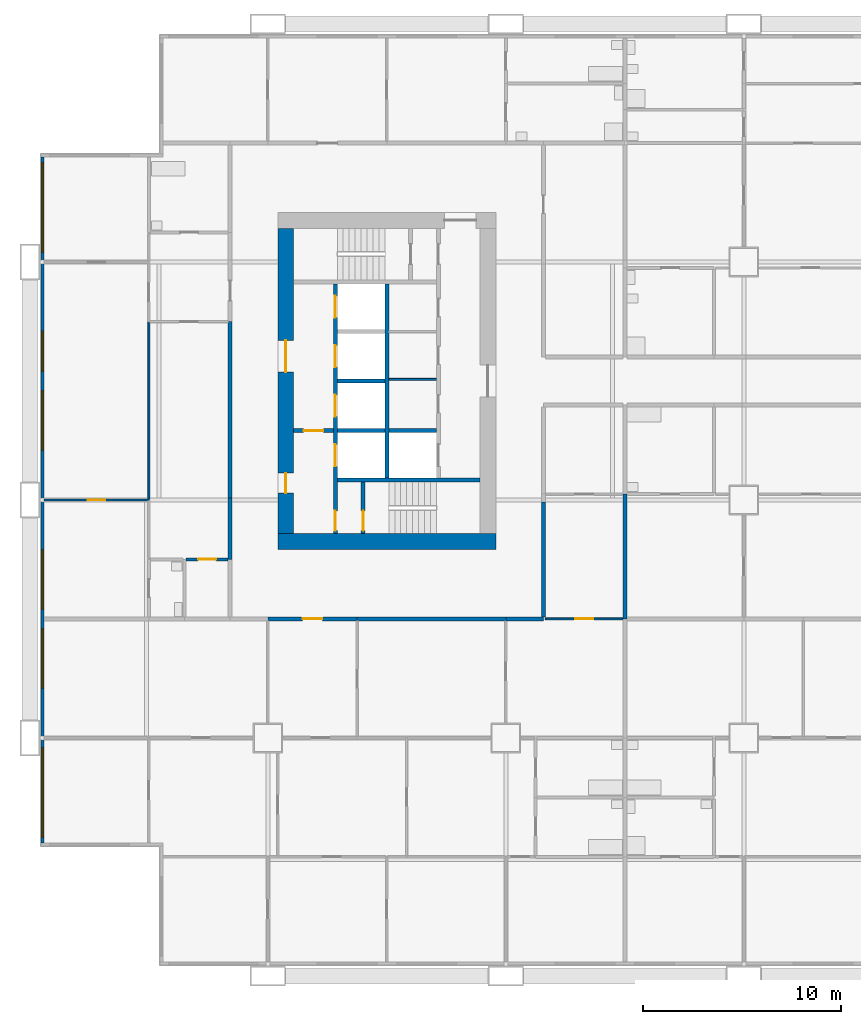
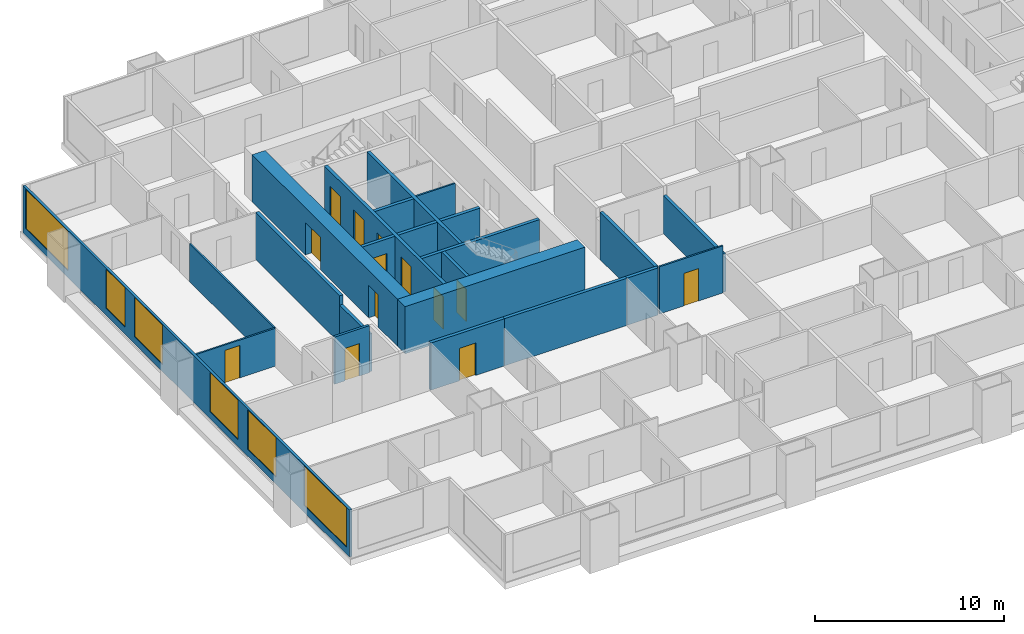
# One storey, part 3 of 13: 23 walls, 13 doors, 6 windows, 19 openings.
"""IFC4 building model written with IfcOpenShell, lengths in metres."""

from ifc_helpers import new_model, si_unit, direction, frame, frame_2d, origin, place, context, subcontext, project, spatial, rectangle, extrude, material, layer, layer_set, type_object, element, fill, save


model = new_model("IFC4")

# Units and contexts
model_context = context("Model", 3, precision=1e-05, world=origin(), true_north=direction((0.0, 1.0)))
body_context = subcontext(model_context, "Body", "Model", "MODEL_VIEW")
ifc_project = project(units=[si_unit("LENGTHUNIT", "METRE"), si_unit("AREAUNIT", "SQUARE_METRE"), si_unit("VOLUMEUNIT", "CUBIC_METRE"), si_unit("PLANEANGLEUNIT", "RADIAN"), si_unit("MASSUNIT", "GRAM", prefix="KILO")], contexts=[model_context])

# Site, building, storey
site_placement = place(None, origin())
site = spatial("IfcSite", under=ifc_project, at=site_placement, CompositionType="ELEMENT")
building_placement = place(site_placement, origin())
building = spatial("IfcBuilding", under=site, at=building_placement, Name="Kitamizu Gate Tower and Museum", CompositionType="ELEMENT")
storey_placement = place(building_placement, frame((0.0, 0.0, 47.25)))
storey = spatial("IfcBuildingStorey", under=building, at=storey_placement, Name="L10", CompositionType="ELEMENT", Elevation=47.25)

# Wall
ifc_material_1 = material(Name="Concrete Fc60", Category="concrete")
ifc_layer_1 = layer(ifc_material_1, 0.800048828125)
ifc_layer_set_1 = layer_set([ifc_layer_1], Name="Concrete Fc60")
wall_type_1 = type_object("IfcWallType", Name="Core wall 800", PredefinedType="SHEAR", material=ifc_layer_set_1)
wall_1_placement = place(storey_placement, frame((12.5, 21.89990234375, 0.0), z_axis=(0.0, 0.0, 1.0), x_axis=(1.0, 0.0, 0.0)))
element("IfcWall", 1, at=wall_1_placement, inside=storey, type_object=wall_type_1, Name="Core wall WS", PredefinedType="SHEAR", context=body_context, shape_type="SweptSolid", body=[
    extrude(rectangle(XDim=11.0, YDim=0.800048828125, at=frame_2d((5.5, 0.0))), origin(), (0.0, 0.0, 1.0), 3.050048828125),
])

# Wall, openings, doors
wall_2_placement = place(storey_placement, frame((12.89990234375, 22.300048828125, 0.0), z_axis=(0.0, 0.0, 1.0), x_axis=(0.0, 1.0, 0.0)))
wall_2 = element("IfcWall", 2, at=wall_2_placement, inside=storey, type_object=wall_type_1, Name="Core wall WOUT", PredefinedType="SHEAR", context=body_context, shape_type="SweptSolid", body=[
    extrude(rectangle(XDim=15.39990234375, YDim=0.800048828125, at=frame_2d((7.699951171875, 0.0))), origin(), (0.0, 0.0, 1.0), 3.050048828125),
])
opening_1_placement = place(wall_2_placement, frame((8.14990234375, 0.0, 0.0)))
opening_1 = element("IfcOpeningElement", 3, at=opening_1_placement, cuts=wall_2, Name="Opening L10-084", PredefinedType="OPENING", context=body_context, shape_type="SweptSolid", body=[
    extrude(rectangle(XDim=1.60009765625, YDim=2.10009765625, at=frame_2d((0.800048828125, 1.050048828125))), frame((0.0, 0.41015625, 0.0), z_axis=(0.0, -1.0, 0.0), x_axis=(1.0, 0.0, 0.0)), (0.0, 0.0, 1.0), 0.820068359375),
])
opening_2_placement = place(wall_2_placement, frame((2.050048828125, 0.0, 0.0)))
opening_2 = element("IfcOpeningElement", 4, at=opening_2_placement, cuts=wall_2, Name="Opening L10-085", PredefinedType="OPENING", context=body_context, shape_type="SweptSolid", body=[
    extrude(rectangle(XDim=1.0, YDim=2.10009765625, at=frame_2d((0.5, 1.050048828125))), frame((0.0, 0.41015625, 0.0), z_axis=(0.0, -1.0, 0.0), x_axis=(1.0, 0.0, 0.0)), (0.0, 0.0, 1.0), 0.820068359375),
])
ifc_material_2 = material(Name="Timber door set", Category="wood")
door_type_1 = type_object("IfcDoorType", Name="Entrance door 1600", OperationType="DOUBLE_DOOR_SINGLE_SWING", PredefinedType="DOOR", material=ifc_material_2)
door_1_placement = place(opening_1_placement, origin())
door_1 = element("IfcDoor", 5, at=door_1_placement, inside=storey, type_object=door_type_1, Name="Lobby door L10-084", OperationType="DOUBLE_DOOR_SINGLE_SWING", OverallHeight=2.10009765625, OverallWidth=1.60009765625, PredefinedType="DOOR", context=body_context, shape_type="SweptSolid", body=[
    extrude(rectangle(XDim=1.60009765625, YDim=2.10009765625, at=frame_2d((0.800048828125, 1.050048828125))), frame((0.0, 0.02490234375, 0.0), z_axis=(0.0, -1.0, 0.0), x_axis=(1.0, 0.0, 0.0)), (0.0, 0.0, 1.0), 0.050048828125),
])
fill(opening_1, door_1)
ifc_material_3 = material(Name="Hollow metal door set")
door_type_2 = type_object("IfcDoorType", Name="Fire door 1000", OperationType="NOTDEFINED", PredefinedType="DOOR", material=ifc_material_3)
door_2_placement = place(opening_2_placement, frame((1.0, 0.0, 0.0), x_axis=(-1.0, 0.0, 0.0)))
door_2 = element("IfcDoor", 6, at=door_2_placement, inside=storey, type_object=door_type_2, Name="Fire-fighting lobby door L10-085", OperationType="SINGLE_SWING_RIGHT", OverallHeight=2.10009765625, OverallWidth=1.0, PredefinedType="DOOR", context=body_context, shape_type="SweptSolid", body=[
    extrude(rectangle(XDim=1.0, YDim=2.10009765625, at=frame_2d((0.5, 1.050048828125))), frame((0.0, 0.02490234375, 0.0), z_axis=(0.0, -1.0, 0.0), x_axis=(1.0, 0.0, 0.0)), (0.0, 0.0, 1.0), 0.050048828125),
])
fill(opening_2, door_2)

# Wall
ifc_material_4 = material(Name="Gypsum board on galvanised stud")
ifc_layer_2 = layer(ifc_material_4, 0.10009765625)
ifc_layer_set_2 = layer_set([ifc_layer_2], Name="Gypsum board on galvanised stud")
wall_type_2 = type_object("IfcWallType", Name="Partition 100", PredefinedType="PARTITIONING", material=ifc_layer_set_2)
wall_3_placement = place(storey_placement, frame((18.10009765625, 30.08203125, 0.0), z_axis=(0.0, 0.0, 1.0), x_axis=(1.0, 0.0, 0.0)))
element("IfcWall", 7, at=wall_3_placement, inside=storey, type_object=wall_type_2, Name="Partition WPF1", PredefinedType="PARTITIONING", context=body_context, shape_type="SweptSolid", body=[
    extrude(rectangle(XDim=2.39990234375, YDim=0.10009765625, at=frame_2d((1.199951171875, 0.0))), origin(), (0.0, 0.0, 1.0), 3.050048828125),
])

# Wall, opening, door
ifc_material_5 = material(Name="Gypsum board on galvanised stud")
ifc_layer_3 = layer(ifc_material_5, 0.10009765625)
ifc_layer_set_3 = layer_set([ifc_layer_3], Name="Gypsum board on galvanised stud")
wall_type_3 = type_object("IfcWallType", Name="Partition 100 NOT RATED", PredefinedType="PARTITIONING", material=ifc_layer_set_3)
wall_4_placement = place(storey_placement, frame((29.89990234375, 18.0, 0.0), z_axis=(0.0, 0.0, 1.0), x_axis=(-1.0, 0.0, 0.0)))
wall_4 = element("IfcWall", 8, at=wall_4_placement, inside=storey, type_object=wall_type_3, Name="Partition L10-036", PredefinedType="PARTITIONING", context=body_context, shape_type="SweptSolid", body=[
    extrude(rectangle(XDim=3.89990234375, YDim=0.10009765625, at=frame_2d((1.949951171875, 0.0))), origin(), (0.0, 0.0, 1.0), 3.050048828125),
])
opening_3_placement = place(wall_4_placement, frame((1.5, 0.0, 0.0)))
opening_3 = element("IfcOpeningElement", 9, at=opening_3_placement, cuts=wall_4, Name="Opening L10-015", PredefinedType="OPENING", context=body_context, shape_type="SweptSolid", body=[
    extrude(rectangle(XDim=0.89990234375, YDim=2.10009765625, at=frame_2d((0.449951171875, 1.050048828125))), frame((0.0, 0.06005859375, 0.0), z_axis=(0.0, -1.0, 0.0), x_axis=(1.0, 0.0, 0.0)), (0.0, 0.0, 1.0), 0.1201171875),
])
ifc_material_6 = material(Name="Timber door set", Category="wood")
door_type_3 = type_object("IfcDoorType", Name="Room door 900", OperationType="NOTDEFINED", PredefinedType="DOOR", material=ifc_material_6)
door_3_placement = place(opening_3_placement, frame((0.89990234375, 0.0, 0.0), x_axis=(-1.0, 0.0, 0.0)))
door_3 = element("IfcDoor", 10, at=door_3_placement, inside=storey, type_object=door_type_3, Name="Door L10-015", OperationType="SINGLE_SWING_LEFT", OverallHeight=2.10009765625, OverallWidth=0.89990234375, PredefinedType="DOOR", context=body_context, shape_type="SweptSolid", body=[
    extrude(rectangle(XDim=0.89990234375, YDim=2.10009765625, at=frame_2d((0.449951171875, 1.050048828125))), frame((0.0, 0.02490234375, 0.0), z_axis=(0.0, -1.0, 0.0), x_axis=(1.0, 0.0, 0.0)), (0.0, 0.0, 1.0), 0.050048828125),
])
fill(opening_3, door_3)

wall_5_placement = place(storey_placement, frame((6.0, 24.0, 0.0), z_axis=(0.0, 0.0, 1.0), x_axis=(-1.0, 0.0, 0.0)))
wall_5 = element("IfcWall", 11, at=wall_5_placement, inside=storey, type_object=wall_type_3, Name="Partition L10-134", PredefinedType="PARTITIONING", context=body_context, shape_type="SweptSolid", body=[
    extrude(rectangle(XDim=5.280029296875, YDim=0.10009765625, at=frame_2d((2.64013671875, 0.0))), origin(), (0.0, 0.0, 1.0), 2.449951171875),
])
opening_4_placement = place(wall_5_placement, frame((2.18994140625, 0.0, 0.0)))
opening_4 = element("IfcOpeningElement", 12, at=opening_4_placement, cuts=wall_5, Name="Opening L10-050", PredefinedType="OPENING", context=body_context, shape_type="SweptSolid", body=[
    extrude(rectangle(XDim=0.89990234375, YDim=2.10009765625, at=frame_2d((0.449951171875, 1.050048828125))), frame((0.0, 0.06005859375, 0.0), z_axis=(0.0, -1.0, 0.0), x_axis=(1.0, 0.0, 0.0)), (0.0, 0.0, 1.0), 0.1201171875),
])
door_4_placement = place(opening_4_placement, origin())
door_4 = element("IfcDoor", 13, at=door_4_placement, inside=storey, type_object=door_type_3, Name="Door L10-050", OperationType="SINGLE_SWING_RIGHT", OverallHeight=2.10009765625, OverallWidth=0.89990234375, PredefinedType="DOOR", context=body_context, shape_type="SweptSolid", body=[
    extrude(rectangle(XDim=0.89990234375, YDim=2.10009765625, at=frame_2d((0.449951171875, 1.050048828125))), frame((0.0, 0.02490234375, 0.0), z_axis=(0.0, -1.0, 0.0), x_axis=(1.0, 0.0, 0.0)), (0.0, 0.0, 1.0), 0.050048828125),
])
fill(opening_4, door_4)

# Wall
wall_6_placement = place(storey_placement, frame((6.0, 24.050048828125, 0.0), z_axis=(0.0, 0.0, 1.0), x_axis=(0.0, 1.0, 0.0)))
element("IfcWall", 14, at=wall_6_placement, inside=storey, type_object=wall_type_3, Name="Partition L10-138", PredefinedType="PARTITIONING", context=body_context, shape_type="SweptSolid", body=[
    extrude(rectangle(XDim=8.949951171875, YDim=0.10009765625, at=frame_2d((4.47509765625, 0.0))), origin(), (0.0, 0.0, 1.0), 2.449951171875),
])

# Wall, opening, door
ifc_material_7 = material(Name="Gypsum board on galvanised stud")
ifc_layer_4 = layer(ifc_material_7, 0.14990234375)
ifc_layer_set_4 = layer_set([ifc_layer_4], Name="Gypsum board on galvanised stud")
wall_type_4 = type_object("IfcWallType", Name="Partition 150", PredefinedType="PARTITIONING", material=ifc_layer_set_4)
wall_7_placement = place(storey_placement, frame((10.0, 21.0, 0.0), z_axis=(0.0, 0.0, 1.0), x_axis=(-1.0, 0.0, 0.0)))
wall_7 = element("IfcWall", 15, at=wall_7_placement, inside=storey, type_object=wall_type_4, Name="Partition L10-144", PredefinedType="PARTITIONING", context=body_context, shape_type="SweptSolid", body=[
    extrude(rectangle(XDim=2.125, YDim=0.14990234375, at=frame_2d((1.0625, 0.0))), origin(), (0.0, 0.0, 1.0), 3.050048828125),
])
opening_5_placement = place(wall_7_placement, frame((0.612548828125, 0.0, 0.0)))
opening_5 = element("IfcOpeningElement", 16, at=opening_5_placement, cuts=wall_7, Name="Opening L10-053", PredefinedType="OPENING", context=body_context, shape_type="SweptSolid", body=[
    extrude(rectangle(XDim=0.89990234375, YDim=2.10009765625, at=frame_2d((0.449951171875, 1.050048828125))), frame((0.0, 0.0849609375, 0.0), z_axis=(0.0, -1.0, 0.0), x_axis=(1.0, 0.0, 0.0)), (0.0, 0.0, 1.0), 0.169921875),
])
ifc_material_8 = material(Name="Timber door set", Category="wood")
door_type_4 = type_object("IfcDoorType", Name="Bathroom door 900", OperationType="NOTDEFINED", PredefinedType="DOOR", material=ifc_material_8)
door_5_placement = place(opening_5_placement, origin())
door_5 = element("IfcDoor", 17, at=door_5_placement, inside=storey, type_object=door_type_4, Name="Bathroom door L10-053", OperationType="SINGLE_SWING_LEFT", OverallHeight=2.10009765625, OverallWidth=0.89990234375, PredefinedType="DOOR", context=body_context, shape_type="SweptSolid", body=[
    extrude(rectangle(XDim=0.89990234375, YDim=2.10009765625, at=frame_2d((0.449951171875, 1.050048828125))), frame((0.0, 0.02490234375, 0.0), z_axis=(0.0, -1.0, 0.0), x_axis=(1.0, 0.0, 0.0)), (0.0, 0.0, 1.0), 0.050048828125),
])
fill(opening_5, door_5)

ifc_material_9 = material(Name="Gypsum board on galvanised stud")
ifc_layer_5 = layer(ifc_material_9, 0.199951171875)
ifc_layer_set_5 = layer_set([ifc_layer_5], Name="Gypsum board on galvanised stud")
wall_type_5 = type_object("IfcWallType", Name="Partition 200", PredefinedType="PARTITIONING", material=ifc_layer_set_5)
wall_8_placement = place(storey_placement, frame((16.5, 18.0, 0.0), z_axis=(0.0, 0.0, 1.0), x_axis=(-1.0, 0.0, 0.0)))
wall_8 = element("IfcWall", 18, at=wall_8_placement, inside=storey, type_object=wall_type_5, Name="Partition L10-033", PredefinedType="PARTITIONING", context=body_context, shape_type="SweptSolid", body=[
    extrude(rectangle(XDim=4.5, YDim=0.199951171875, at=frame_2d((2.25, 0.0))), origin(), (0.0, 0.0, 1.0), 3.050048828125),
])
opening_6_placement = place(wall_8_placement, frame((1.75, 0.0, 0.0)))
opening_6 = element("IfcOpeningElement", 19, at=opening_6_placement, cuts=wall_8, Name="Opening L10-001", PredefinedType="OPENING", context=body_context, shape_type="SweptSolid", body=[
    extrude(rectangle(XDim=1.0, YDim=2.10009765625, at=frame_2d((0.5, 1.050048828125))), frame((0.0, 0.10986328125, 0.0), z_axis=(0.0, -1.0, 0.0), x_axis=(1.0, 0.0, 0.0)), (0.0, 0.0, 1.0), 0.219970703125),
])
ifc_material_10 = material(Name="Timber door set", Category="wood")
door_type_5 = type_object("IfcDoorType", Name="Flat entrance door 1000", OperationType="NOTDEFINED", PredefinedType="DOOR", material=ifc_material_10)
door_6_placement = place(opening_6_placement, origin())
door_6 = element("IfcDoor", 20, at=door_6_placement, inside=storey, type_object=door_type_5, Name="Flat entrance door L10-001", OperationType="SINGLE_SWING_RIGHT", OverallHeight=2.10009765625, OverallWidth=1.0, PredefinedType="DOOR", context=body_context, shape_type="SweptSolid", body=[
    extrude(rectangle(XDim=1.0, YDim=2.10009765625, at=frame_2d((0.5, 1.050048828125))), frame((0.0, 0.02490234375, 0.0), z_axis=(0.0, -1.0, 0.0), x_axis=(1.0, 0.0, 0.0)), (0.0, 0.0, 1.0), 0.050048828125),
])
fill(opening_6, door_6)

# Walls
wall_9_placement = place(storey_placement, frame((24.0, 18.0, 0.0), z_axis=(0.0, 0.0, 1.0), x_axis=(-1.0, 0.0, 0.0)))
element("IfcWall", 21, at=wall_9_placement, inside=storey, type_object=wall_type_5, Name="Partition L10-035", PredefinedType="PARTITIONING", context=body_context, shape_type="SweptSolid", body=[
    extrude(rectangle(XDim=7.5, YDim=0.199951171875, at=frame_2d((3.75, 0.0))), origin(), (0.0, 0.0, 1.0), 3.050048828125),
])
wall_10_placement = place(storey_placement, frame((25.89990234375, 18.0, 0.0), z_axis=(0.0, 0.0, 1.0), x_axis=(-1.0, 0.0, 0.0)))
element("IfcWall", 22, at=wall_10_placement, inside=storey, type_object=wall_type_5, Name="Partition L10-038", PredefinedType="PARTITIONING", context=body_context, shape_type="SweptSolid", body=[
    extrude(rectangle(XDim=1.89990234375, YDim=0.199951171875, at=frame_2d((0.949951171875, 0.0))), origin(), (0.0, 0.0, 1.0), 3.050048828125),
])
wall_11_placement = place(storey_placement, frame((30.0, 18.0, 0.0), z_axis=(0.0, 0.0, 1.0), x_axis=(0.0, 1.0, 0.0)))
element("IfcWall", 23, at=wall_11_placement, inside=storey, type_object=wall_type_5, Name="Partition L10-040", PredefinedType="PARTITIONING", context=body_context, shape_type="SweptSolid", body=[
    extrude(rectangle(XDim=6.300048828125, YDim=0.199951171875, at=frame_2d((3.14990234375, 0.0))), origin(), (0.0, 0.0, 1.0), 2.449951171875),
])
wall_12_placement = place(storey_placement, frame((25.89990234375, 23.89990234375, 0.0), z_axis=(0.0, 0.0, 1.0), x_axis=(0.0, -1.0, 0.0)))
element("IfcWall", 24, at=wall_12_placement, inside=storey, type_object=wall_type_5, Name="Partition L10-042", PredefinedType="PARTITIONING", context=body_context, shape_type="SweptSolid", body=[
    extrude(rectangle(XDim=5.7998046875, YDim=0.199951171875, at=frame_2d((2.89990234375, 0.0))), origin(), (0.0, 0.0, 1.0), 3.050048828125),
])
wall_13_placement = place(storey_placement, frame((10.10009765625, 21.0, 0.0), z_axis=(0.0, 0.0, 1.0), x_axis=(0.0, 1.0, 0.0)))
element("IfcWall", 25, at=wall_13_placement, inside=storey, type_object=wall_type_5, Name="Partition L10-147", PredefinedType="PARTITIONING", context=body_context, shape_type="SweptSolid", body=[
    extrude(rectangle(XDim=3.10009765625, YDim=0.199951171875, at=frame_2d((1.550048828125, 0.0))), origin(), (0.0, 0.0, 1.0), 2.449951171875),
])
wall_14_placement = place(storey_placement, frame((10.10009765625, 24.10009765625, 0.0), z_axis=(0.0, 0.0, 1.0), x_axis=(0.0, 1.0, 0.0)))
element("IfcWall", 26, at=wall_14_placement, inside=storey, type_object=wall_type_5, Name="Partition L10-148", PredefinedType="PARTITIONING", context=body_context, shape_type="SweptSolid", body=[
    extrude(rectangle(XDim=8.89990234375, YDim=0.199951171875, at=frame_2d((4.449951171875, 0.0))), origin(), (0.0, 0.0, 1.0), 3.050048828125),
])

# Wall, openings, doors
ifc_material_11 = material(Name="Concrete Fc42", Category="concrete")
ifc_layer_6 = layer(ifc_material_11, 0.199951171875)
ifc_layer_set_6 = layer_set([ifc_layer_6], Name="Concrete Fc42")
wall_type_6 = type_object("IfcWallType", Name="Shaft wall 200", PredefinedType="SOLIDWALL", material=ifc_layer_set_6)
wall_15_placement = place(storey_placement, frame((15.39990234375, 22.300048828125, 0.0), z_axis=(0.0, 0.0, 1.0), x_axis=(0.0, 1.0, 0.0)))
wall_15 = element("IfcWall", 27, at=wall_15_placement, inside=storey, type_object=wall_type_6, Name="Shaft wall WWEST", PredefinedType="SOLIDWALL", context=body_context, shape_type="SweptSolid", body=[
    extrude(rectangle(XDim=12.599853515625, YDim=0.199951171875, at=frame_2d((6.2998046875, 0.0))), origin(), (0.0, 0.0, 1.0), 3.050048828125),
])
opening_7_placement = place(wall_15_placement, frame((3.39990234375, 0.0, 0.0)))
opening_7 = element("IfcOpeningElement", 28, at=opening_7_placement, cuts=wall_15, Name="Opening LD", PredefinedType="OPENING", context=body_context, shape_type="SweptSolid", body=[
    extrude(rectangle(XDim=1.10009765625, YDim=2.10009765625, at=frame_2d((0.550048828125, 1.050048828125))), frame((0.0, 0.10986328125, 0.0), z_axis=(0.0, -1.0, 0.0), x_axis=(1.0, 0.0, 0.0)), (0.0, 0.0, 1.0), 0.219970703125),
])
opening_8_placement = place(wall_15_placement, frame((5.89990234375, 0.0, 0.0)))
opening_8 = element("IfcOpeningElement", 29, at=opening_8_placement, cuts=wall_15, Name="Opening LD", PredefinedType="OPENING", context=body_context, shape_type="SweptSolid", body=[
    extrude(rectangle(XDim=1.10009765625, YDim=2.10009765625, at=frame_2d((0.550048828125, 1.050048828125))), frame((0.0, 0.10986328125, 0.0), z_axis=(0.0, -1.0, 0.0), x_axis=(1.0, 0.0, 0.0)), (0.0, 0.0, 1.0), 0.219970703125),
])
opening_9_placement = place(wall_15_placement, frame((8.39990234375, 0.0, 0.0)))
opening_9 = element("IfcOpeningElement", 30, at=opening_9_placement, cuts=wall_15, Name="Opening LD", PredefinedType="OPENING", context=body_context, shape_type="SweptSolid", body=[
    extrude(rectangle(XDim=1.10009765625, YDim=2.10009765625, at=frame_2d((0.550048828125, 1.050048828125))), frame((0.0, 0.10986328125, 0.0), z_axis=(0.0, -1.0, 0.0), x_axis=(1.0, 0.0, 0.0)), (0.0, 0.0, 1.0), 0.219970703125),
])
opening_10_placement = place(wall_15_placement, frame((10.89990234375, 0.0, 0.0)))
opening_10 = element("IfcOpeningElement", 31, at=opening_10_placement, cuts=wall_15, Name="Opening LD", PredefinedType="OPENING", context=body_context, shape_type="SweptSolid", body=[
    extrude(rectangle(XDim=1.10009765625, YDim=2.10009765625, at=frame_2d((0.550048828125, 1.050048828125))), frame((0.0, 0.10986328125, 0.0), z_axis=(0.0, -1.0, 0.0), x_axis=(1.0, 0.0, 0.0)), (0.0, 0.0, 1.0), 0.219970703125),
])
opening_11_placement = place(wall_15_placement, frame((0.14990234375, 0.0, 0.0)))
opening_11 = element("IfcOpeningElement", 32, at=opening_11_placement, cuts=wall_15, Name="Opening L10-080", PredefinedType="OPENING", context=body_context, shape_type="SweptSolid", body=[
    extrude(rectangle(XDim=1.0, YDim=2.10009765625, at=frame_2d((0.5, 1.050048828125))), frame((0.0, 0.10986328125, 0.0), z_axis=(0.0, -1.0, 0.0), x_axis=(1.0, 0.0, 0.0)), (0.0, 0.0, 1.0), 0.219970703125),
])
door_7_placement = place(opening_11_placement, frame((1.0, 0.0, 0.0), x_axis=(-1.0, 0.0, 0.0)))
door_7 = element("IfcDoor", 33, at=door_7_placement, inside=storey, type_object=door_type_2, Name="Stair lobby door L10-080", OperationType="SINGLE_SWING_LEFT", OverallHeight=2.10009765625, OverallWidth=1.0, PredefinedType="DOOR", context=body_context, shape_type="SweptSolid", body=[
    extrude(rectangle(XDim=1.0, YDim=2.10009765625, at=frame_2d((0.5, 1.050048828125))), frame((0.0, 0.02490234375, 0.0), z_axis=(0.0, -1.0, 0.0), x_axis=(1.0, 0.0, 0.0)), (0.0, 0.0, 1.0), 0.050048828125),
])
fill(opening_11, door_7)
ifc_material_12 = material(Name="Hollow metal door set")
door_type_6 = type_object("IfcDoorType", Name="Landing door 1100", OperationType="SLIDING_TO_LEFT", PredefinedType="DOOR", material=ifc_material_12)
door_8_placement = place(opening_7_placement, origin())
door_8 = element("IfcDoor", 34, at=door_8_placement, inside=storey, type_object=door_type_6, Name="Landing door WFF1", OperationType="SLIDING_TO_LEFT", OverallHeight=2.10009765625, OverallWidth=1.10009765625, PredefinedType="DOOR", context=body_context, shape_type="SweptSolid", body=[
    extrude(rectangle(XDim=1.10009765625, YDim=2.10009765625, at=frame_2d((0.550048828125, 1.050048828125))), frame((0.0, 0.02490234375, 0.0), z_axis=(0.0, -1.0, 0.0), x_axis=(1.0, 0.0, 0.0)), (0.0, 0.0, 1.0), 0.050048828125),
])
fill(opening_7, door_8)
door_9_placement = place(opening_8_placement, origin())
door_9 = element("IfcDoor", 35, at=door_9_placement, inside=storey, type_object=door_type_6, Name="Landing door WL1", OperationType="SLIDING_TO_LEFT", OverallHeight=2.10009765625, OverallWidth=1.10009765625, PredefinedType="DOOR", context=body_context, shape_type="SweptSolid", body=[
    extrude(rectangle(XDim=1.10009765625, YDim=2.10009765625, at=frame_2d((0.550048828125, 1.050048828125))), frame((0.0, 0.02490234375, 0.0), z_axis=(0.0, -1.0, 0.0), x_axis=(1.0, 0.0, 0.0)), (0.0, 0.0, 1.0), 0.050048828125),
])
fill(opening_8, door_9)
door_10_placement = place(opening_9_placement, origin())
door_10 = element("IfcDoor", 36, at=door_10_placement, inside=storey, type_object=door_type_6, Name="Landing door WL2", OperationType="SLIDING_TO_LEFT", OverallHeight=2.10009765625, OverallWidth=1.10009765625, PredefinedType="DOOR", context=body_context, shape_type="SweptSolid", body=[
    extrude(rectangle(XDim=1.10009765625, YDim=2.10009765625, at=frame_2d((0.550048828125, 1.050048828125))), frame((0.0, 0.02490234375, 0.0), z_axis=(0.0, -1.0, 0.0), x_axis=(1.0, 0.0, 0.0)), (0.0, 0.0, 1.0), 0.050048828125),
])
fill(opening_9, door_10)
door_11_placement = place(opening_10_placement, origin())
door_11 = element("IfcDoor", 37, at=door_11_placement, inside=storey, type_object=door_type_6, Name="Landing door WL3", OperationType="SLIDING_TO_LEFT", OverallHeight=2.10009765625, OverallWidth=1.10009765625, PredefinedType="DOOR", context=body_context, shape_type="SweptSolid", body=[
    extrude(rectangle(XDim=1.10009765625, YDim=2.10009765625, at=frame_2d((0.550048828125, 1.050048828125))), frame((0.0, 0.02490234375, 0.0), z_axis=(0.0, -1.0, 0.0), x_axis=(1.0, 0.0, 0.0)), (0.0, 0.0, 1.0), 0.050048828125),
])
fill(opening_10, door_11)

# Walls
wall_16_placement = place(storey_placement, frame((18.0, 25.10009765625, 0.0), z_axis=(0.0, 0.0, 1.0), x_axis=(0.0, 1.0, 0.0)))
element("IfcWall", 38, at=wall_16_placement, inside=storey, type_object=wall_type_6, Name="Shaft wall WMID", PredefinedType="SOLIDWALL", context=body_context, shape_type="SweptSolid", body=[
    extrude(rectangle(XDim=9.7998046875, YDim=0.199951171875, at=frame_2d((4.89990234375, 0.0))), origin(), (0.0, 0.0, 1.0), 3.050048828125),
])
wall_17_placement = place(storey_placement, frame((15.5, 25.0, 0.0), z_axis=(0.0, 0.0, 1.0), x_axis=(1.0, 0.0, 0.0)))
element("IfcWall", 39, at=wall_17_placement, inside=storey, type_object=wall_type_6, Name="Shaft wall WSB", PredefinedType="SOLIDWALL", context=body_context, shape_type="SweptSolid", body=[
    extrude(rectangle(XDim=7.199951171875, YDim=0.199951171875, at=frame_2d((3.60009765625, 0.0))), origin(), (0.0, 0.0, 1.0), 3.050048828125),
])

# Wall, opening, door
wall_18_placement = place(storey_placement, frame((13.300048828125, 27.5, 0.0), z_axis=(0.0, 0.0, 1.0), x_axis=(1.0, 0.0, 0.0)))
wall_18 = element("IfcWall", 40, at=wall_18_placement, inside=storey, type_object=wall_type_6, Name="Shaft wall WFFN", PredefinedType="SOLIDWALL", context=body_context, shape_type="SweptSolid", body=[
    extrude(rectangle(XDim=2.0, YDim=0.199951171875, at=frame_2d((1.0, 0.0))), origin(), (0.0, 0.0, 1.0), 3.050048828125),
])
opening_12_placement = place(wall_18_placement, frame((0.5, 0.0, 0.0)))
opening_12 = element("IfcOpeningElement", 41, at=opening_12_placement, cuts=wall_18, Name="Opening L10-083", PredefinedType="OPENING", context=body_context, shape_type="SweptSolid", body=[
    extrude(rectangle(XDim=1.0, YDim=2.10009765625, at=frame_2d((0.5, 1.050048828125))), frame((0.0, 0.10986328125, 0.0), z_axis=(0.0, -1.0, 0.0), x_axis=(1.0, 0.0, 0.0)), (0.0, 0.0, 1.0), 0.219970703125),
])
door_12_placement = place(opening_12_placement, frame((1.0, 0.0, 0.0), x_axis=(-1.0, 0.0, 0.0)))
door_12 = element("IfcDoor", 42, at=door_12_placement, inside=storey, type_object=door_type_2, Name="Fire-fighting lobby door L10-083", OperationType="SINGLE_SWING_LEFT", OverallHeight=2.10009765625, OverallWidth=1.0, PredefinedType="DOOR", context=body_context, shape_type="SweptSolid", body=[
    extrude(rectangle(XDim=1.0, YDim=2.10009765625, at=frame_2d((0.5, 1.050048828125))), frame((0.0, 0.02490234375, 0.0), z_axis=(0.0, -1.0, 0.0), x_axis=(1.0, 0.0, 0.0)), (0.0, 0.0, 1.0), 0.050048828125),
])
fill(opening_12, door_12)

wall_19_placement = place(storey_placement, frame((16.800048828125, 22.300048828125, 0.0), z_axis=(0.0, 0.0, 1.0), x_axis=(0.0, 1.0, 0.0)))
wall_19 = element("IfcWall", 43, at=wall_19_placement, inside=storey, type_object=wall_type_6, Name="Shaft wall WSZ", PredefinedType="SOLIDWALL", context=body_context, shape_type="SweptSolid", body=[
    extrude(rectangle(XDim=2.599853515625, YDim=0.199951171875, at=frame_2d((1.2998046875, 0.0))), origin(), (0.0, 0.0, 1.0), 3.050048828125),
])
opening_13_placement = place(wall_19_placement, frame((0.14990234375, 0.0, 0.0)))
opening_13 = element("IfcOpeningElement", 44, at=opening_13_placement, cuts=wall_19, Name="Opening L10-079", PredefinedType="OPENING", context=body_context, shape_type="SweptSolid", body=[
    extrude(rectangle(XDim=1.0, YDim=2.10009765625, at=frame_2d((0.5, 1.050048828125))), frame((0.0, 0.10986328125, 0.0), z_axis=(0.0, -1.0, 0.0), x_axis=(1.0, 0.0, 0.0)), (0.0, 0.0, 1.0), 0.219970703125),
])
door_13_placement = place(opening_13_placement, frame((1.0, 0.0, 0.0), x_axis=(-1.0, 0.0, 0.0)))
door_13 = element("IfcDoor", 45, at=door_13_placement, inside=storey, type_object=door_type_2, Name="Stair door L10-079", OperationType="SINGLE_SWING_LEFT", OverallHeight=2.10009765625, OverallWidth=1.0, PredefinedType="DOOR", context=body_context, shape_type="SweptSolid", body=[
    extrude(rectangle(XDim=1.0, YDim=2.10009765625, at=frame_2d((0.5, 1.050048828125))), frame((0.0, 0.02490234375, 0.0), z_axis=(0.0, -1.0, 0.0), x_axis=(1.0, 0.0, 0.0)), (0.0, 0.0, 1.0), 0.050048828125),
])
fill(opening_13, door_13)

# Walls
for number, where, z_axis, x_axis, name in (
    (46, (15.5, 27.5, 0.0), (0.0, 0.0, 1.0), (1.0, 0.0, 0.0), "Shaft wall WDVW0"),
    (47, (15.5, 30.0, 0.0), (0.0, 0.0, 1.0), (1.0, 0.0, 0.0), "Shaft wall WDVW1"),
    (48, (18.10009765625, 27.5, 0.0), (0.0, 0.0, 1.0), (1.0, 0.0, 0.0), "Shaft wall WDVE0"),
):
    element("IfcWall", number, at=place(storey_placement, frame(where, z_axis=z_axis, x_axis=x_axis)), inside=storey, type_object=wall_type_6, Name=name, PredefinedType="SOLIDWALL", context=body_context, shape_type="SweptSolid", body=[
        extrude(rectangle(XDim=2.39990234375, YDim=0.199951171875, at=frame_2d((1.199951171875, 0.0))), origin(), (0.0, 0.0, 1.0), 3.050048828125),
    ])

# Wall, openings, windows
ifc_material_13 = material(Name="Bronze anodised aluminium frame with insulated spandrel and tinted glass", Category="aluminium")
ifc_layer_7 = layer(ifc_material_13, 0.14990234375)
ifc_layer_set_7 = layer_set([ifc_layer_7], Name="Bronze anodised aluminium frame with insulated spandrel and tinted glass")
wall_type_7 = type_object("IfcWallType", Name="WINDOW WALL 150 BRONZE FRAME EI 30", PredefinedType="ELEMENTEDWALL", material=ifc_layer_set_7)
wall_20_placement = place(storey_placement, frame((0.635009765625, 6.7099609375, 0.0), z_axis=(0.0, 0.0, 1.0), x_axis=(0.0, 1.0, 0.0)))
wall_20 = element("IfcWall", 49, at=wall_20_placement, inside=storey, type_object=wall_type_7, Name="Window wall west L10", PredefinedType="ELEMENTEDWALL", context=body_context, shape_type="SweptSolid", body=[
    extrude(rectangle(XDim=34.580078125, YDim=0.14990234375, at=frame_2d((17.2900390625, 0.0))), origin(), (0.0, 0.0, 1.0), 3.050048828125),
])
opening_14_placement = place(wall_20_placement, frame((0.2900390625, 0.0, 0.449951171875)))
opening_14 = element("IfcOpeningElement", 50, at=opening_14_placement, cuts=wall_20, Name="Opening W15", PredefinedType="OPENING", context=body_context, shape_type="SweptSolid", body=[
    extrude(rectangle(XDim=4.5, YDim=2.550048828125, at=frame_2d((2.25, 1.27490234375))), frame((0.0, 0.0849609375, 0.0), z_axis=(0.0, -1.0, 0.0), x_axis=(1.0, 0.0, 0.0)), (0.0, 0.0, 1.0), 0.169921875),
])
opening_15_placement = place(wall_20_placement, frame((7.7900390625, 0.0, 0.449951171875)))
opening_15 = element("IfcOpeningElement", 51, at=opening_15_placement, cuts=wall_20, Name="Opening W33", PredefinedType="OPENING", context=body_context, shape_type="SweptSolid", body=[
    extrude(rectangle(XDim=3.0, YDim=2.550048828125, at=frame_2d((1.5, 1.27490234375))), frame((0.0, 0.0849609375, 0.0), z_axis=(0.0, -1.0, 0.0), x_axis=(1.0, 0.0, 0.0)), (0.0, 0.0, 1.0), 0.169921875),
])
opening_16_placement = place(wall_20_placement, frame((11.7900390625, 0.0, 0.449951171875)))
opening_16 = element("IfcOpeningElement", 52, at=opening_16_placement, cuts=wall_20, Name="Opening W33", PredefinedType="OPENING", context=body_context, shape_type="SweptSolid", body=[
    extrude(rectangle(XDim=3.0, YDim=2.550048828125, at=frame_2d((1.5, 1.27490234375))), frame((0.0, 0.0849609375, 0.0), z_axis=(0.0, -1.0, 0.0), x_axis=(1.0, 0.0, 0.0)), (0.0, 0.0, 1.0), 0.169921875),
])
opening_17_placement = place(wall_20_placement, frame((19.7900390625, 0.0, 0.449951171875)))
opening_17 = element("IfcOpeningElement", 53, at=opening_17_placement, cuts=wall_20, Name="Opening W33", PredefinedType="OPENING", context=body_context, shape_type="SweptSolid", body=[
    extrude(rectangle(XDim=3.0, YDim=2.550048828125, at=frame_2d((1.5, 1.27490234375))), frame((0.0, 0.0849609375, 0.0), z_axis=(0.0, -1.0, 0.0), x_axis=(1.0, 0.0, 0.0)), (0.0, 0.0, 1.0), 0.169921875),
])
opening_18_placement = place(wall_20_placement, frame((23.7900390625, 0.0, 0.449951171875)))
opening_18 = element("IfcOpeningElement", 54, at=opening_18_placement, cuts=wall_20, Name="Opening W2", PredefinedType="OPENING", context=body_context, shape_type="SweptSolid", body=[
    extrude(rectangle(XDim=2.0, YDim=2.550048828125, at=frame_2d((1.0, 1.27490234375))), frame((0.0, 0.0849609375, 0.0), z_axis=(0.0, -1.0, 0.0), x_axis=(1.0, 0.0, 0.0)), (0.0, 0.0, 1.0), 0.169921875),
])
opening_19_placement = place(wall_20_placement, frame((29.7900390625, 0.0, 0.449951171875)))
opening_19 = element("IfcOpeningElement", 55, at=opening_19_placement, cuts=wall_20, Name="Opening W15", PredefinedType="OPENING", context=body_context, shape_type="SweptSolid", body=[
    extrude(rectangle(XDim=4.5, YDim=2.550048828125, at=frame_2d((2.25, 1.27490234375))), frame((0.0, 0.0849609375, 0.0), z_axis=(0.0, -1.0, 0.0), x_axis=(1.0, 0.0, 0.0)), (0.0, 0.0, 1.0), 0.169921875),
])
ifc_material_14 = material(Name="Bronze anodised aluminium frame, tinted triple glazing", Category="aluminium")
window_type_1 = type_object("IfcWindowType", Name="WINDOW 2000 x 2550 SILL 450", PartitioningType="SINGLE_PANEL", PredefinedType="WINDOW", material=ifc_material_14)
window_1_placement = place(opening_18_placement, origin())
window_1 = element("IfcWindow", 56, at=window_1_placement, inside=storey, type_object=window_type_1, Name="Window W2 L10", OverallHeight=2.550048828125, OverallWidth=2.0, PartitioningType="SINGLE_PANEL", PredefinedType="WINDOW", context=body_context, shape_type="SweptSolid", body=[
    extrude(rectangle(XDim=2.0, YDim=2.550048828125, at=frame_2d((1.0, 1.27490234375))), frame((0.0, 0.030029296875, 0.0), z_axis=(0.0, -1.0, 0.0), x_axis=(1.0, 0.0, 0.0)), (0.0, 0.0, 1.0), 0.06005859375),
])
fill(opening_18, window_1)
ifc_material_15 = material(Name="Bronze anodised aluminium frame, tinted triple glazing", Category="aluminium")
window_type_2 = type_object("IfcWindowType", Name="WINDOW 3000 x 2550 SILL 450", PartitioningType="SINGLE_PANEL", PredefinedType="WINDOW", material=ifc_material_15)
window_2_placement = place(opening_15_placement, origin())
window_2 = element("IfcWindow", 57, at=window_2_placement, inside=storey, type_object=window_type_2, Name="Window W33 L10", OverallHeight=2.550048828125, OverallWidth=3.0, PartitioningType="SINGLE_PANEL", PredefinedType="WINDOW", context=body_context, shape_type="SweptSolid", body=[
    extrude(rectangle(XDim=3.0, YDim=2.550048828125, at=frame_2d((1.5, 1.27490234375))), frame((0.0, 0.030029296875, 0.0), z_axis=(0.0, -1.0, 0.0), x_axis=(1.0, 0.0, 0.0)), (0.0, 0.0, 1.0), 0.06005859375),
])
fill(opening_15, window_2)
window_3_placement = place(opening_16_placement, origin())
window_3 = element("IfcWindow", 58, at=window_3_placement, inside=storey, type_object=window_type_2, Name="Window W33 L10", OverallHeight=2.550048828125, OverallWidth=3.0, PartitioningType="SINGLE_PANEL", PredefinedType="WINDOW", context=body_context, shape_type="SweptSolid", body=[
    extrude(rectangle(XDim=3.0, YDim=2.550048828125, at=frame_2d((1.5, 1.27490234375))), frame((0.0, 0.030029296875, 0.0), z_axis=(0.0, -1.0, 0.0), x_axis=(1.0, 0.0, 0.0)), (0.0, 0.0, 1.0), 0.06005859375),
])
fill(opening_16, window_3)
window_4_placement = place(opening_17_placement, origin())
window_4 = element("IfcWindow", 59, at=window_4_placement, inside=storey, type_object=window_type_2, Name="Window W33 L10", OverallHeight=2.550048828125, OverallWidth=3.0, PartitioningType="SINGLE_PANEL", PredefinedType="WINDOW", context=body_context, shape_type="SweptSolid", body=[
    extrude(rectangle(XDim=3.0, YDim=2.550048828125, at=frame_2d((1.5, 1.27490234375))), frame((0.0, 0.030029296875, 0.0), z_axis=(0.0, -1.0, 0.0), x_axis=(1.0, 0.0, 0.0)), (0.0, 0.0, 1.0), 0.06005859375),
])
fill(opening_17, window_4)
ifc_material_16 = material(Name="Bronze anodised aluminium frame, tinted triple glazing", Category="aluminium")
window_type_3 = type_object("IfcWindowType", Name="WINDOW 4500 x 2550 SILL 450", PartitioningType="SINGLE_PANEL", PredefinedType="WINDOW", material=ifc_material_16)
window_5_placement = place(opening_14_placement, origin())
window_5 = element("IfcWindow", 60, at=window_5_placement, inside=storey, type_object=window_type_3, Name="Window W15 L10", OverallHeight=2.550048828125, OverallWidth=4.5, PartitioningType="SINGLE_PANEL", PredefinedType="WINDOW", context=body_context, shape_type="SweptSolid", body=[
    extrude(rectangle(XDim=4.5, YDim=2.550048828125, at=frame_2d((2.25, 1.27490234375))), frame((0.0, 0.030029296875, 0.0), z_axis=(0.0, -1.0, 0.0), x_axis=(1.0, 0.0, 0.0)), (0.0, 0.0, 1.0), 0.06005859375),
])
fill(opening_14, window_5)
window_6_placement = place(opening_19_placement, origin())
window_6 = element("IfcWindow", 61, at=window_6_placement, inside=storey, type_object=window_type_3, Name="Window W15 L10", OverallHeight=2.550048828125, OverallWidth=4.5, PartitioningType="SINGLE_PANEL", PredefinedType="WINDOW", context=body_context, shape_type="SweptSolid", body=[
    extrude(rectangle(XDim=4.5, YDim=2.550048828125, at=frame_2d((2.25, 1.27490234375))), frame((0.0, 0.030029296875, 0.0), z_axis=(0.0, -1.0, 0.0), x_axis=(1.0, 0.0, 0.0)), (0.0, 0.0, 1.0), 0.06005859375),
])
fill(opening_19, window_6)

save(model, "model.ifc")
